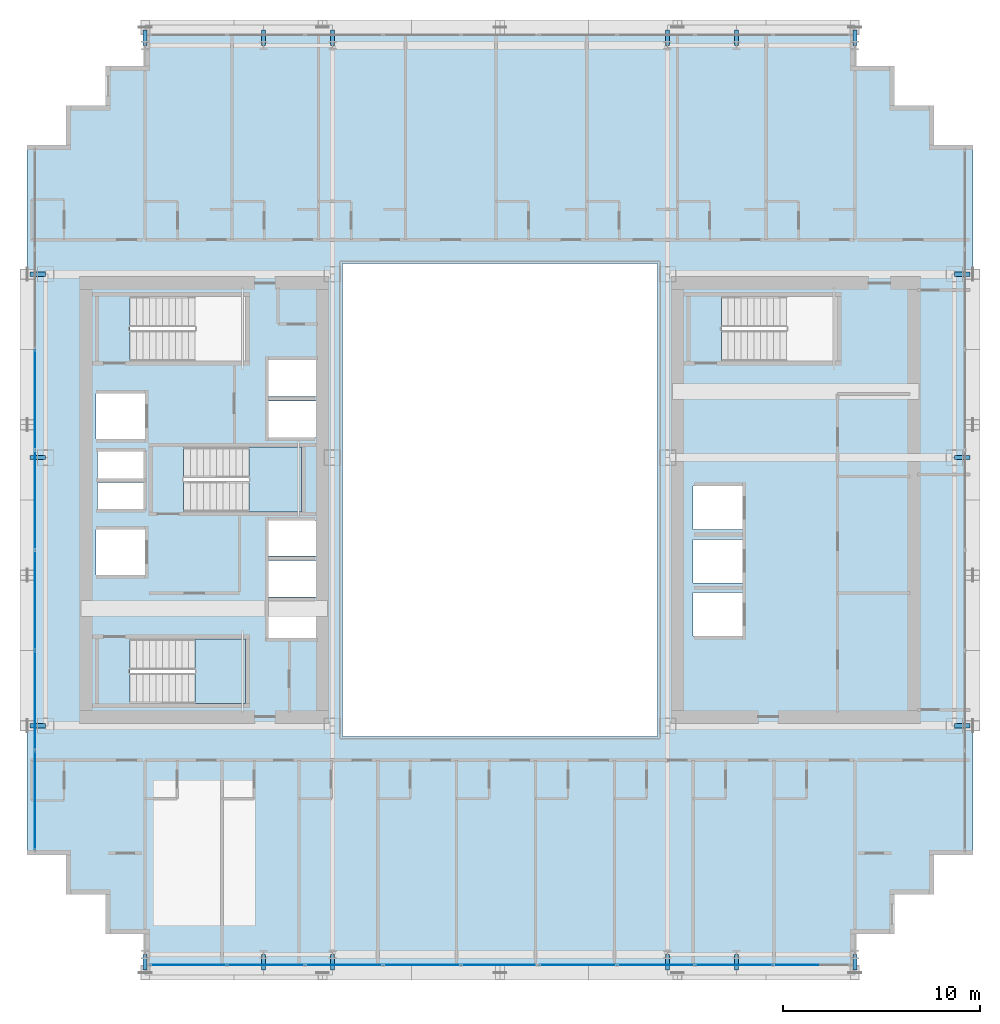
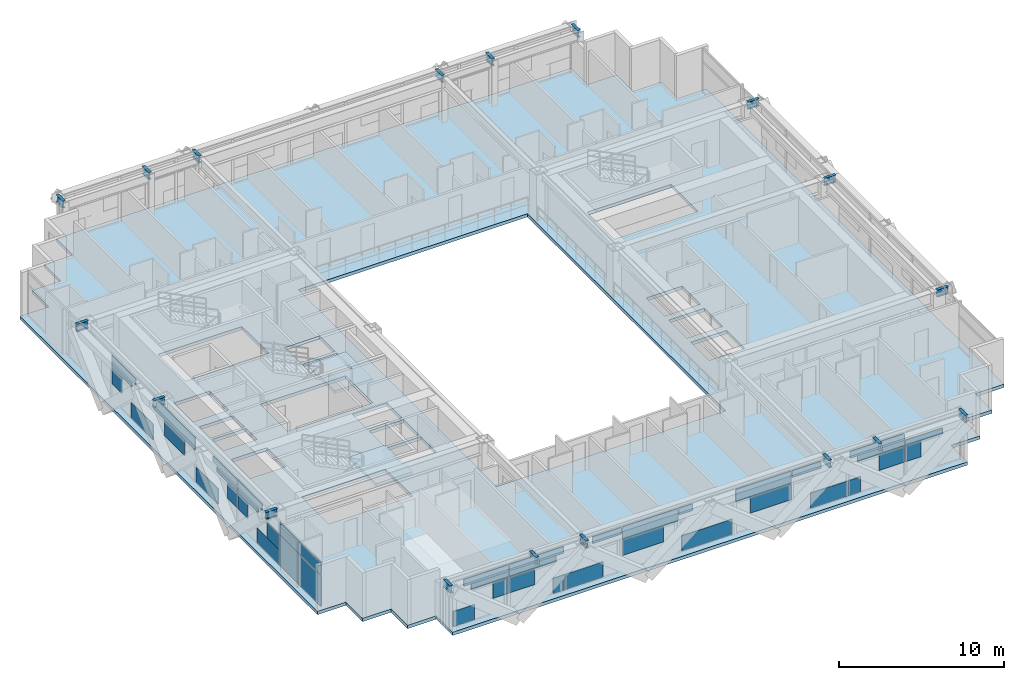
# One storey, part 23 of 36: 41 plates, 18 beams, 3 slabs, 4 elements without a shape of their own.
"""IFC4 building model written with IfcOpenShell, lengths in metres."""

from ifc_helpers import new_model, si_unit, direction, frame, origin, origin_2d, place, context, subcontext, project, spatial, polyline, rectangle, i_section, outline, extrude, source, transform, mapped, material, layer, layer_set, material_profile, profile_set, type_object, element, aggregate, save


model = new_model("IFC4")

# Units and contexts
model_context = context("Model", 3, precision=1e-05, world=origin(), true_north=direction((0.0, 1.0)))
body_context = subcontext(model_context, "Body", "Model", "MODEL_VIEW")
ifc_project = project(units=[si_unit("LENGTHUNIT", "METRE"), si_unit("AREAUNIT", "SQUARE_METRE"), si_unit("VOLUMEUNIT", "CUBIC_METRE"), si_unit("PLANEANGLEUNIT", "RADIAN"), si_unit("MASSUNIT", "GRAM", prefix="KILO")], contexts=[model_context])

# Site, building, storey
site_placement = place(None, origin())
site = spatial("IfcSite", under=ifc_project, at=site_placement, CompositionType="ELEMENT")
building_placement = place(site_placement, origin())
building = spatial("IfcBuilding", under=site, at=building_placement, Name="Ocotamira Hotel", CompositionType="ELEMENT")
storey_placement = place(building_placement, frame((0.0, 0.0, 136.800048828125)))
storey = spatial("IfcBuildingStorey", under=building, at=storey_placement, Name="L34", CompositionType="ELEMENT", Elevation=136.800048828125)

# Beams
ifc_material_1 = material(Name="Steel ASTM A992 Grade 50", Category="steel")
ifc_material_profile = material_profile(ifc_material_1, i_section(OverallWidth=0.2099609375, OverallDepth=0.537109375, WebThickness=0.010986328125, FlangeThickness=0.017333984375, FilletRadius=0.012939453125, at=origin_2d()), Name="W21X68")
ifc_profile_set = profile_set([ifc_material_profile], Name="Steel ASTM A992 Grade 50")
beam_type = type_object("IfcBeamType", Name="BM-SEC-W21X68", PredefinedType="JOIST", material=ifc_profile_set)
shared_shape_1 = source(origin(), body_context, "Body", "SweptSolid", [
    extrude(i_section(OverallWidth=0.2099609375, OverallDepth=0.537109375, WebThickness=0.010986328125, FlangeThickness=0.017333984375, FilletRadius=0.012939453125, at=origin_2d()), origin(), (0.0, 0.0, 1.0), 0.800048828125),
])
for number, where, z_axis, x_axis, name in (
    (1, (14.0, 2.949951171875, 3.091552734375), (0.0, -1.0, 0.0), (1.0, 0.0, 0.0), "L34 South Edge Header X14"),
    (2, (14.0, 49.050048828125, 3.091552734375), (0.0, 1.0, 0.0), (-1.0, 0.0, 0.0), "L34 North Edge Header X14"),
    (3, (20.0, 2.949951171875, 3.091552734375), (0.0, -1.0, 0.0), (1.0, 0.0, 0.0), "L34 South Edge Header X20"),
    (4, (20.0, 49.050048828125, 3.091552734375), (0.0, 1.0, 0.0), (-1.0, 0.0, 0.0), "L34 North Edge Header X20"),
    (5, (23.5, 2.949951171875, 3.091552734375), (0.0, -1.0, 0.0), (1.0, 0.0, 0.0), "L34 South Edge Header X23.5"),
    (6, (23.5, 49.050048828125, 3.091552734375), (0.0, 1.0, 0.0), (-1.0, 0.0, 0.0), "L34 North Edge Header X23.5"),
    (7, (40.5, 2.949951171875, 3.091552734375), (0.0, -1.0, 0.0), (1.0, 0.0, 0.0), "L34 South Edge Header X40.5"),
    (8, (40.5, 49.050048828125, 3.091552734375), (0.0, 1.0, 0.0), (-1.0, 0.0, 0.0), "L34 North Edge Header X40.5"),
    (9, (44.0, 2.949951171875, 3.091552734375), (0.0, -1.0, 0.0), (1.0, 0.0, 0.0), "L34 South Edge Header X44"),
    (10, (44.0, 49.050048828125, 3.091552734375), (0.0, 1.0, 0.0), (-1.0, 0.0, 0.0), "L34 North Edge Header X44"),
    (11, (50.0, 2.949951171875, 3.091552734375), (0.0, -1.0, 0.0), (1.0, 0.0, 0.0), "L34 South Edge Header X50"),
    (12, (50.0, 49.050048828125, 3.091552734375), (0.0, 1.0, 0.0), (-1.0, 0.0, 0.0), "L34 North Edge Header X50"),
    (13, (8.949951171875, 14.550048828125, 3.091552734375), (-1.0, 0.0, 0.0), (0.0, -1.0, 0.0), "L34 West Edge Header Y14.55"),
    (14, (55.050048828125, 14.550048828125, 3.091552734375), (1.0, 0.0, 0.0), (0.0, 1.0, 0.0), "L34 East Edge Header Y14.55"),
    (15, (8.949951171875, 28.14990234375, 3.091552734375), (-1.0, 0.0, 0.0), (0.0, -1.0, 0.0), "L34 West Edge Header Y28.15"),
    (16, (55.050048828125, 28.14990234375, 3.091552734375), (1.0, 0.0, 0.0), (0.0, 1.0, 0.0), "L34 East Edge Header Y28.15"),
    (17, (8.949951171875, 37.449951171875, 3.091552734375), (-1.0, 0.0, 0.0), (0.0, -1.0, 0.0), "L34 West Edge Header Y37.45"),
    (18, (55.050048828125, 37.449951171875, 3.091552734375), (1.0, 0.0, 0.0), (0.0, 1.0, 0.0), "L34 East Edge Header Y37.45"),
):
    element("IfcBeam", number, at=place(storey_placement, frame(where, z_axis=z_axis, x_axis=x_axis)), inside=storey, type_object=beam_type, Name=name, PredefinedType="JOIST", context=body_context, shape_type="MappedRepresentation", body=[
        mapped(shared_shape_1, transform((0.0, 0.0, 0.0), scale=1.0)),
    ])

# Stair, slab
ifc_material_2 = material(Name="Concrete C40/50", Category="concrete")
stair_type = type_object("IfcStairType", Name="ST-CORE-1560", PredefinedType="HALF_TURN_STAIR", material=ifc_material_2)
stair_1_placement = place(storey_placement, origin())
stair_1 = element("IfcStair", 19, at=stair_1_placement, inside=storey, type_object=stair_type, Name="L34 Exit Stair ST-1", PredefinedType="HALF_TURN_STAIR")
ifc_layer_1 = layer(ifc_material_2, 0.199951171875)
ifc_layer_set_1 = layer_set([ifc_layer_1], Name="Concrete C40/50")
slab_type_1 = type_object("IfcSlabType", Name="SLB-LAND-200", PredefinedType="LANDING", material=ifc_layer_set_1)
slab_1_placement = place(storey_placement, frame((0.0, 0.0, 1.599853515625)))
slab_1 = element("IfcSlab", 20, at=slab_1_placement, type_object=slab_type_1, Name="ST-1 landing 1", PredefinedType="LANDING", context=body_context, shape_type="SweptSolid", body=[
    extrude(outline(polyline([(16.530029296875, 15.669921875), (19.090087890625, 15.669921875), (19.090087890625, 18.949951171875), (16.530029296875, 18.949951171875), (16.530029296875, 15.669921875)])), origin(), (0.0, 0.0, 1.0), 0.2001953125),
])
aggregate(stair_1, [slab_1])

stair_2_placement = place(storey_placement, origin())
stair_2 = element("IfcStair", 21, at=stair_2_placement, inside=storey, type_object=stair_type, Name="L34 Exit Stair ST-3", PredefinedType="HALF_TURN_STAIR")
slab_2_placement = place(storey_placement, frame((0.0, 0.0, 1.599853515625)))
slab_2 = element("IfcSlab", 22, at=slab_2_placement, type_object=slab_type_1, Name="ST-3 landing 1", PredefinedType="LANDING", context=body_context, shape_type="SweptSolid", body=[
    extrude(outline(polyline([(19.260009765625, 25.39990234375), (21.919921875, 25.39990234375), (21.919921875, 28.679931640625), (19.260009765625, 28.679931640625), (19.260009765625, 25.39990234375)])), origin(), (0.0, 0.0, 1.0), 0.2001953125),
])
aggregate(stair_2, [slab_2])

# Slab
ifc_layer_2 = layer(ifc_material_2, 0.239990234375)
ifc_layer_set_2 = layer_set([ifc_layer_2], Name="Concrete C40/50")
slab_type_2 = type_object("IfcSlabType", Name="SLB-TYP-240", PredefinedType="FLOOR", material=ifc_layer_set_2)
slab_3_placement = place(storey_placement, frame((0.0, 0.0, -0.239990234375)))
element("IfcSlab", 23, at=slab_3_placement, inside=storey, type_object=slab_type_2, Name="L34 Structural Floor Slab", PredefinedType="FLOOR", context=body_context, shape_type="SweptSolid", body=[
    extrude(outline(polyline([(14.0, 2.0), (50.0, 2.0), (50.0, 4.0), (52.0, 4.0), (52.0, 6.0), (54.0, 6.0), (54.0, 8.0), (56.0, 8.0), (56.0, 44.0), (54.0, 44.0), (54.0, 46.0), (52.0, 46.0), (52.0, 48.0), (50.0, 48.0), (50.0, 50.0), (14.0, 50.0), (14.0, 48.0), (12.0, 48.0), (12.0, 46.0), (10.0, 46.0), (10.0, 44.0), (8.0, 44.0), (8.0, 8.0), (10.0, 8.0), (10.0, 6.0), (12.0, 6.0), (12.0, 4.0), (14.0, 4.0), (14.0, 2.0)]), holes=[polyline([(24.0, 14.0), (40.0, 14.0), (40.0, 38.0), (24.0, 38.0), (24.0, 14.0)]), polyline([(13.22998046875, 15.669921875), (19.090087890625, 15.669921875), (19.090087890625, 18.949951171875), (13.22998046875, 18.949951171875), (13.22998046875, 15.669921875)]), polyline([(13.22998046875, 33.050048828125), (19.090087890625, 33.050048828125), (19.090087890625, 36.330078125), (13.22998046875, 36.330078125), (13.22998046875, 33.050048828125)]), polyline([(15.9599609375, 25.39990234375), (21.919921875, 25.39990234375), (21.919921875, 28.679931640625), (15.9599609375, 28.679931640625), (15.9599609375, 25.39990234375)]), polyline([(43.22998046875, 33.050048828125), (49.090087890625, 33.050048828125), (49.090087890625, 36.330078125), (43.22998046875, 36.330078125), (43.22998046875, 33.050048828125)]), polyline([(41.800048828125, 19.10009765625), (44.300048828125, 19.10009765625), (44.300048828125, 21.300048828125), (41.800048828125, 21.300048828125), (41.800048828125, 19.10009765625)]), polyline([(41.800048828125, 21.800048828125), (44.300048828125, 21.800048828125), (44.300048828125, 24.0), (41.800048828125, 24.0), (41.800048828125, 21.800048828125)]), polyline([(41.800048828125, 24.5), (44.300048828125, 24.5), (44.300048828125, 26.699951171875), (41.800048828125, 26.699951171875), (41.800048828125, 24.5)]), polyline([(20.25, 19.0), (22.659912109375, 19.0), (22.659912109375, 20.85009765625), (20.25, 20.85009765625), (20.25, 19.0)]), polyline([(20.25, 21.080078125), (22.659912109375, 21.080078125), (22.659912109375, 22.929931640625), (20.25, 22.929931640625), (20.25, 21.080078125)]), polyline([(20.25, 23.159912109375), (22.659912109375, 23.159912109375), (22.659912109375, 24.9599609375), (20.25, 24.9599609375), (20.25, 23.159912109375)]), polyline([(20.25, 29.179931640625), (22.659912109375, 29.179931640625), (22.659912109375, 31.030029296875), (20.25, 31.030029296875), (20.25, 29.179931640625)]), polyline([(20.25, 31.260009765625), (22.659912109375, 31.260009765625), (22.659912109375, 33.110107421875), (20.25, 33.110107421875), (20.25, 31.260009765625)]), polyline([(11.5, 22.199951171875), (14.0, 22.199951171875), (14.0, 24.5), (11.5, 24.5), (11.5, 22.199951171875)]), polyline([(11.5, 29.10009765625), (14.0, 29.10009765625), (14.0, 31.39990234375), (11.5, 31.39990234375), (11.5, 29.10009765625)]), polyline([(11.580078125, 25.550048828125), (13.919921875, 25.550048828125), (13.919921875, 26.89990234375), (11.580078125, 26.89990234375), (11.580078125, 25.550048828125)]), polyline([(11.580078125, 27.10009765625), (13.919921875, 27.10009765625), (13.919921875, 28.449951171875), (11.580078125, 28.449951171875), (11.580078125, 27.10009765625)])]), origin(), (0.0, 0.0, 1.0), 0.239990234375),
])

# Curtain wall, plate
ifc_material_3 = material(Name="Anodised pale-metal aluminium and solar glass", Category="aluminium")
ifc_layer_3 = layer(ifc_material_3, 0.179931640625)
ifc_layer_set_3 = layer_set([ifc_layer_3], Name="Anodised pale-metal aluminium and solar glass")
curtain_wall_type = type_object("IfcCurtainWallType", Name="CW-SYS3-Z2", PredefinedType="NOTDEFINED", material=ifc_layer_set_3)
curtain_wall_1_placement = place(storey_placement, origin())
curtain_wall_1 = element("IfcCurtainWall", 24, at=curtain_wall_1_placement, inside=storey, type_object=curtain_wall_type, Name="L34 Curtain Wall CW-3 CW-L34-W", PredefinedType="NOTDEFINED")
ifc_material_4 = material(Name="Double-silver low-E insulated solar glass", Category="glass")
ifc_layer_4 = layer(ifc_material_4, 0.031982421875)
ifc_layer_set_4 = layer_set([ifc_layer_4], Name="Double-silver low-E insulated solar glass")
plate_type = type_object("IfcPlateType", Name="CWP-VISION-32", PredefinedType="CURTAIN_PANEL", material=ifc_layer_set_4)
shared_shape_2 = source(origin(), body_context, "Body", "SweptSolid", [
    extrude(rectangle(XDim=4.9658203125, YDim=0.031982421875, at=origin_2d()), origin(), (0.0, 0.0, 1.0), 2.237548828125),
])
plate_1_placement = place(storey_placement, frame((8.419921875, 10.762939453125, 0.07470703125), z_axis=(0.0, 0.0, 1.0), x_axis=(0.0, 1.0, 0.0)))
plate_1 = element("IfcPlate", 25, at=plate_1_placement, type_object=plate_type, Name="CW-3 panel 1.1", PredefinedType="CURTAIN_PANEL", context=body_context, shape_type="MappedRepresentation", body=[
    mapped(shared_shape_2, transform((0.0, 0.0, 0.0), scale=1.0)),
])

# Curtain wall, plates
curtain_wall_2_placement = place(storey_placement, origin())
curtain_wall_2 = element("IfcCurtainWall", 26, at=curtain_wall_2_placement, inside=storey, type_object=curtain_wall_type, Name="L34 Curtain Wall CW-3 CW-L34-S1", PredefinedType="NOTDEFINED")
shared_shape_3 = source(origin(), body_context, "Body", "SweptSolid", [
    extrude(rectangle(XDim=3.87548828125, YDim=0.031982421875, at=origin_2d()), origin(), (0.0, 0.0, 1.0), 0.8974609375),
])
plate_2_placement = place(storey_placement, frame((28.04443359375, 2.419921875, 2.387451171875), z_axis=(0.0, 0.0, 1.0), x_axis=(1.0, 0.0, 0.0)))
plate_2 = element("IfcPlate", 27, at=plate_2_placement, type_object=plate_type, Name="CW-3 panel 4.2", PredefinedType="CURTAIN_PANEL", context=body_context, shape_type="MappedRepresentation", body=[
    mapped(shared_shape_3, transform((0.0, 0.0, 0.0), scale=1.0)),
])
plate_3_placement = place(storey_placement, frame((35.95556640625, 2.419921875, 2.387451171875), z_axis=(0.0, 0.0, 1.0), x_axis=(1.0, 0.0, 0.0)))
plate_3 = element("IfcPlate", 28, at=plate_3_placement, type_object=plate_type, Name="CW-3 panel 6.2", PredefinedType="CURTAIN_PANEL", context=body_context, shape_type="MappedRepresentation", body=[
    mapped(shared_shape_3, transform((0.0, 0.0, 0.0), scale=1.0)),
])

# Plate
shared_shape_4 = source(origin(), body_context, "Body", "SweptSolid", [
    extrude(rectangle(XDim=4.9658203125, YDim=0.031982421875, at=origin_2d()), origin(), (0.0, 0.0, 1.0), 0.8974609375),
])
plate_4_placement = place(storey_placement, frame((8.419921875, 10.762939453125, 2.387451171875), z_axis=(0.0, 0.0, 1.0), x_axis=(0.0, 1.0, 0.0)))
plate_4 = element("IfcPlate", 29, at=plate_4_placement, type_object=plate_type, Name="CW-3 panel 1.2", PredefinedType="CURTAIN_PANEL", context=body_context, shape_type="MappedRepresentation", body=[
    mapped(shared_shape_4, transform((0.0, 0.0, 0.0), scale=1.0)),
])

shared_shape_5 = source(origin(), body_context, "Body", "SweptSolid", [
    extrude(rectangle(XDim=2.404296875, YDim=0.031982421875, at=origin_2d()), origin(), (0.0, 0.0, 1.0), 1.118896484375),
])
plate_5_placement = place(storey_placement, frame((8.419921875, 26.0, 1.193359375), z_axis=(0.0, 0.0, 1.0), x_axis=(0.0, 1.0, 0.0)))
plate_5 = element("IfcPlate", 30, at=plate_5_placement, type_object=plate_type, Name="CW-3 panel 4.1.1", PredefinedType="CURTAIN_PANEL", context=body_context, shape_type="MappedRepresentation", body=[
    mapped(shared_shape_5, transform((0.0, 0.0, 0.0), scale=1.0)),
])

shared_shape_6 = source(origin(), body_context, "Body", "SweptSolid", [
    extrude(rectangle(XDim=1.47509765625, YDim=0.031982421875, at=origin_2d()), origin(), (0.0, 0.0, 1.0), 1.118896484375),
])
plate_6_placement = place(storey_placement, frame((15.017578125, 2.419921875, 0.07470703125), z_axis=(0.0, 0.0, 1.0), x_axis=(1.0, 0.0, 0.0)))
plate_6 = element("IfcPlate", 31, at=plate_6_placement, type_object=plate_type, Name="CW-3 panel 1.1.1", PredefinedType="CURTAIN_PANEL", context=body_context, shape_type="MappedRepresentation", body=[
    mapped(shared_shape_6, transform((0.0, 0.0, 0.0), scale=1.0)),
])

shared_shape_7 = source(origin(), body_context, "Body", "SweptSolid", [
    extrude(rectangle(XDim=3.104248046875, YDim=0.031982421875, at=origin_2d()), origin(), (0.0, 0.0, 1.0), 0.4716796875),
])
plate_7_placement = place(storey_placement, frame((16.5634765625, 2.419921875, 2.813232421875), z_axis=(0.0, 0.0, 1.0), x_axis=(1.0, 0.0, 0.0)))
plate_7 = element("IfcPlate", 32, at=plate_7_placement, type_object=plate_type, Name="CW-3 panel 1.2.1", PredefinedType="CURTAIN_PANEL", context=body_context, shape_type="MappedRepresentation", body=[
    mapped(shared_shape_7, transform((0.0, 0.0, 0.0), scale=1.0)),
])

shared_shape_8 = source(origin(), body_context, "Body", "SweptSolid", [
    extrude(rectangle(XDim=2.572021484375, YDim=0.031982421875, at=origin_2d()), origin(), (0.0, 0.0, 1.0), 0.39453125),
])
plate_8_placement = place(storey_placement, frame((16.82958984375, 2.419921875, 2.387451171875), z_axis=(0.0, 0.0, 1.0), x_axis=(1.0, 0.0, 0.0)))
plate_8 = element("IfcPlate", 33, at=plate_8_placement, type_object=plate_type, Name="CW-3 panel 1.2.2", PredefinedType="CURTAIN_PANEL", context=body_context, shape_type="MappedRepresentation", body=[
    mapped(shared_shape_8, transform((0.0, 0.0, 0.0), scale=1.0)),
])

plate_9_placement = place(storey_placement, frame((47.17041015625, 2.419921875, 2.387451171875), z_axis=(0.0, 0.0, 1.0), x_axis=(1.0, 0.0, 0.0)))
plate_9 = element("IfcPlate", 34, at=plate_9_placement, type_object=plate_type, Name="CW-3 panel 9.2.1", PredefinedType="CURTAIN_PANEL", context=body_context, shape_type="MappedRepresentation", body=[
    mapped(shared_shape_8, transform((0.0, 0.0, 0.0), scale=1.0)),
])

shared_shape_9 = source(origin(), body_context, "Body", "SweptSolid", [
    extrude(rectangle(XDim=0.826171875, YDim=0.031982421875, at=origin_2d()), origin(), (0.0, 0.0, 1.0), 1.118896484375),
])
plate_10_placement = place(storey_placement, frame((21.658203125, 2.419921875, 0.07470703125), z_axis=(0.0, 0.0, 1.0), x_axis=(1.0, 0.0, 0.0)))
plate_10 = element("IfcPlate", 35, at=plate_10_placement, type_object=plate_type, Name="CW-3 panel 2.1.2", PredefinedType="CURTAIN_PANEL", context=body_context, shape_type="MappedRepresentation", body=[
    mapped(shared_shape_9, transform((0.0, 0.0, 0.0), scale=1.0)),
])

plate_11_placement = place(storey_placement, frame((42.341796875, 2.419921875, 0.07470703125), z_axis=(0.0, 0.0, 1.0), x_axis=(1.0, 0.0, 0.0)))
plate_11 = element("IfcPlate", 36, at=plate_11_placement, type_object=plate_type, Name="CW-3 panel 8.1.1", PredefinedType="CURTAIN_PANEL", context=body_context, shape_type="MappedRepresentation", body=[
    mapped(shared_shape_9, transform((0.0, 0.0, 0.0), scale=1.0)),
])

shared_shape_10 = source(origin(), body_context, "Body", "SweptSolid", [
    extrude(rectangle(XDim=3.260986328125, YDim=0.031982421875, at=origin_2d()), origin(), (0.0, 0.0, 1.0), 0.42578125),
])
plate_12_placement = place(storey_placement, frame((19.826171875, 2.419921875, 2.387451171875), z_axis=(0.0, 0.0, 1.0), x_axis=(1.0, 0.0, 0.0)))
plate_12 = element("IfcPlate", 37, at=plate_12_placement, type_object=plate_type, Name="CW-3 panel 2.2.1", PredefinedType="CURTAIN_PANEL", context=body_context, shape_type="MappedRepresentation", body=[
    mapped(shared_shape_10, transform((0.0, 0.0, 0.0), scale=1.0)),
])

plate_13_placement = place(storey_placement, frame((44.173828125, 2.419921875, 2.387451171875), z_axis=(0.0, 0.0, 1.0), x_axis=(1.0, 0.0, 0.0)))
plate_13 = element("IfcPlate", 38, at=plate_13_placement, type_object=plate_type, Name="CW-3 panel 8.2.2", PredefinedType="CURTAIN_PANEL", context=body_context, shape_type="MappedRepresentation", body=[
    mapped(shared_shape_10, transform((0.0, 0.0, 0.0), scale=1.0)),
])

shared_shape_11 = source(origin(), body_context, "Body", "SweptSolid", [
    extrude(rectangle(XDim=3.793212890625, YDim=0.031982421875, at=origin_2d()), origin(), (0.0, 0.0, 1.0), 0.4716796875),
])
plate_14_placement = place(storey_placement, frame((20.09228515625, 2.419921875, 2.813232421875), z_axis=(0.0, 0.0, 1.0), x_axis=(1.0, 0.0, 0.0)))
plate_14 = element("IfcPlate", 39, at=plate_14_placement, type_object=plate_type, Name="CW-3 panel 2.2.2", PredefinedType="CURTAIN_PANEL", context=body_context, shape_type="MappedRepresentation", body=[
    mapped(shared_shape_11, transform((0.0, 0.0, 0.0), scale=1.0)),
])

plate_15_placement = place(storey_placement, frame((43.90771484375, 2.419921875, 2.813232421875), z_axis=(0.0, 0.0, 1.0), x_axis=(1.0, 0.0, 0.0)))
plate_15 = element("IfcPlate", 40, at=plate_15_placement, type_object=plate_type, Name="CW-3 panel 8.2.1", PredefinedType="CURTAIN_PANEL", context=body_context, shape_type="MappedRepresentation", body=[
    mapped(shared_shape_11, transform((0.0, 0.0, 0.0), scale=1.0)),
])

shared_shape_12 = source(origin(), body_context, "Body", "SweptSolid", [
    extrude(rectangle(XDim=2.60400390625, YDim=0.031982421875, at=origin_2d()), origin(), (0.0, 0.0, 1.0), 1.118896484375),
])
plate_16_placement = place(storey_placement, frame((23.453125, 2.419921875, 0.07470703125), z_axis=(0.0, 0.0, 1.0), x_axis=(1.0, 0.0, 0.0)))
plate_16 = element("IfcPlate", 41, at=plate_16_placement, type_object=plate_type, Name="CW-3 panel 3.1.1", PredefinedType="CURTAIN_PANEL", context=body_context, shape_type="MappedRepresentation", body=[
    mapped(shared_shape_12, transform((0.0, 0.0, 0.0), scale=1.0)),
])

plate_17_placement = place(storey_placement, frame((40.546875, 2.419921875, 0.07470703125), z_axis=(0.0, 0.0, 1.0), x_axis=(1.0, 0.0, 0.0)))
plate_17 = element("IfcPlate", 42, at=plate_17_placement, type_object=plate_type, Name="CW-3 panel 7.1.1", PredefinedType="CURTAIN_PANEL", context=body_context, shape_type="MappedRepresentation", body=[
    mapped(shared_shape_12, transform((0.0, 0.0, 0.0), scale=1.0)),
])

shared_shape_13 = source(origin(), body_context, "Body", "SweptSolid", [
    extrude(rectangle(XDim=2.015380859375, YDim=0.031982421875, at=origin_2d()), origin(), (0.0, 0.0, 1.0), 0.4716796875),
])
plate_18_placement = place(storey_placement, frame((25.018798828125, 2.419921875, 2.813232421875), z_axis=(0.0, 0.0, 1.0), x_axis=(1.0, 0.0, 0.0)))
plate_18 = element("IfcPlate", 43, at=plate_18_placement, type_object=plate_type, Name="CW-3 panel 3.2.1", PredefinedType="CURTAIN_PANEL", context=body_context, shape_type="MappedRepresentation", body=[
    mapped(shared_shape_13, transform((0.0, 0.0, 0.0), scale=1.0)),
])

plate_19_placement = place(storey_placement, frame((38.981201171875, 2.419921875, 2.813232421875), z_axis=(0.0, 0.0, 1.0), x_axis=(1.0, 0.0, 0.0)))
plate_19 = element("IfcPlate", 44, at=plate_19_placement, type_object=plate_type, Name="CW-3 panel 7.2.1", PredefinedType="CURTAIN_PANEL", context=body_context, shape_type="MappedRepresentation", body=[
    mapped(shared_shape_13, transform((0.0, 0.0, 0.0), scale=1.0)),
])

shared_shape_14 = source(origin(), body_context, "Body", "SweptSolid", [
    extrude(rectangle(XDim=3.510009765625, YDim=0.031982421875, at=origin_2d()), origin(), (0.0, 0.0, 1.0), 1.118896484375),
])
plate_20_placement = place(storey_placement, frame((32.0, 2.419921875, 0.07470703125), z_axis=(0.0, 0.0, 1.0), x_axis=(1.0, 0.0, 0.0)))
plate_20 = element("IfcPlate", 45, at=plate_20_placement, type_object=plate_type, Name="CW-3 panel 5.1.1", PredefinedType="CURTAIN_PANEL", context=body_context, shape_type="MappedRepresentation", body=[
    mapped(shared_shape_14, transform((0.0, 0.0, 0.0), scale=1.0)),
])

shared_shape_15 = source(origin(), body_context, "Body", "SweptSolid", [
    extrude(rectangle(XDim=0.926513671875, YDim=0.031982421875, at=origin_2d()), origin(), (0.0, 0.0, 1.0), 0.4716796875),
])
plate_21_placement = place(storey_placement, frame((30.525390625, 2.419921875, 2.813232421875), z_axis=(0.0, 0.0, 1.0), x_axis=(1.0, 0.0, 0.0)))
plate_21 = element("IfcPlate", 46, at=plate_21_placement, type_object=plate_type, Name="CW-3 panel 5.2.1", PredefinedType="CURTAIN_PANEL", context=body_context, shape_type="MappedRepresentation", body=[
    mapped(shared_shape_15, transform((0.0, 0.0, 0.0), scale=1.0)),
])

shared_shape_16 = source(origin(), body_context, "Body", "SweptSolid", [
    extrude(rectangle(XDim=2.6728515625, YDim=0.031982421875, at=origin_2d()), origin(), (0.0, 0.0, 1.0), 1.118896484375),
])
plate_22_placement = place(storey_placement, frame((8.419921875, 14.662109375, 0.07470703125), z_axis=(0.0, 0.0, 1.0), x_axis=(0.0, 1.0, 0.0)))
plate_22 = element("IfcPlate", 47, at=plate_22_placement, type_object=plate_type, Name="CW-3 panel 2.1.1", PredefinedType="CURTAIN_PANEL", context=body_context, shape_type="MappedRepresentation", body=[
    mapped(shared_shape_16, transform((0.0, 0.0, 0.0), scale=1.0)),
])

shared_shape_17 = source(origin(), body_context, "Body", "SweptSolid", [
    extrude(rectangle(XDim=2.908203125, YDim=0.031982421875, at=origin_2d()), origin(), (0.0, 0.0, 1.0), 0.44873046875),
])
plate_23_placement = place(storey_placement, frame((8.419921875, 16.877197265625, 2.836181640625), z_axis=(0.0, 0.0, 1.0), x_axis=(0.0, 1.0, 0.0)))
plate_23 = element("IfcPlate", 48, at=plate_23_placement, type_object=plate_type, Name="CW-3 panel 2.2.1", PredefinedType="CURTAIN_PANEL", context=body_context, shape_type="MappedRepresentation", body=[
    mapped(shared_shape_17, transform((0.0, 0.0, 0.0), scale=1.0)),
])

shared_shape_18 = source(origin(), body_context, "Body", "SweptSolid", [
    extrude(rectangle(XDim=2.4326171875, YDim=0.031982421875, at=origin_2d()), origin(), (0.0, 0.0, 1.0), 0.414306640625),
])
plate_24_placement = place(storey_placement, frame((8.419921875, 17.115234375, 2.3876953125), z_axis=(0.0, 0.0, 1.0), x_axis=(0.0, 1.0, 0.0)))
plate_24 = element("IfcPlate", 49, at=plate_24_placement, type_object=plate_type, Name="CW-3 panel 2.2.2", PredefinedType="CURTAIN_PANEL", context=body_context, shape_type="MappedRepresentation", body=[
    mapped(shared_shape_18, transform((0.0, 0.0, 0.0), scale=1.0)),
])

shared_shape_19 = source(origin(), body_context, "Body", "SweptSolid", [
    extrude(rectangle(XDim=2.6826171875, YDim=0.031982421875, at=origin_2d()), origin(), (0.0, 0.0, 1.0), 1.118896484375),
])
plate_25_placement = place(storey_placement, frame((8.419921875, 22.075927734375, 0.07470703125), z_axis=(0.0, 0.0, 1.0), x_axis=(0.0, 1.0, 0.0)))
plate_25 = element("IfcPlate", 50, at=plate_25_placement, type_object=plate_type, Name="CW-3 panel 3.1.2", PredefinedType="CURTAIN_PANEL", context=body_context, shape_type="MappedRepresentation", body=[
    mapped(shared_shape_19, transform((0.0, 0.0, 0.0), scale=1.0)),
])

plate_26_placement = place(storey_placement, frame((8.419921875, 29.924072265625, 0.07470703125), z_axis=(0.0, 0.0, 1.0), x_axis=(0.0, 1.0, 0.0)))
plate_26 = element("IfcPlate", 51, at=plate_26_placement, type_object=plate_type, Name="CW-3 panel 5.1.1", PredefinedType="CURTAIN_PANEL", context=body_context, shape_type="MappedRepresentation", body=[
    mapped(shared_shape_19, transform((0.0, 0.0, 0.0), scale=1.0)),
])

shared_shape_20 = source(origin(), body_context, "Body", "SweptSolid", [
    extrude(rectangle(XDim=2.4228515625, YDim=0.031982421875, at=origin_2d()), origin(), (0.0, 0.0, 1.0), 0.414306640625),
])
plate_27_placement = place(storey_placement, frame((8.419921875, 19.622802734375, 2.3876953125), z_axis=(0.0, 0.0, 1.0), x_axis=(0.0, 1.0, 0.0)))
plate_27 = element("IfcPlate", 52, at=plate_27_placement, type_object=plate_type, Name="CW-3 panel 3.2.1", PredefinedType="CURTAIN_PANEL", context=body_context, shape_type="MappedRepresentation", body=[
    mapped(shared_shape_20, transform((0.0, 0.0, 0.0), scale=1.0)),
])

plate_28_placement = place(storey_placement, frame((8.419921875, 32.377197265625, 2.3876953125), z_axis=(0.0, 0.0, 1.0), x_axis=(0.0, 1.0, 0.0)))
plate_28 = element("IfcPlate", 53, at=plate_28_placement, type_object=plate_type, Name="CW-3 panel 5.2.2", PredefinedType="CURTAIN_PANEL", context=body_context, shape_type="MappedRepresentation", body=[
    mapped(shared_shape_20, transform((0.0, 0.0, 0.0), scale=1.0)),
])

shared_shape_21 = source(origin(), body_context, "Body", "SweptSolid", [
    extrude(rectangle(XDim=2.898681640625, YDim=0.031982421875, at=origin_2d()), origin(), (0.0, 0.0, 1.0), 0.44873046875),
])
plate_29_placement = place(storey_placement, frame((8.419921875, 19.860595703125, 2.836181640625), z_axis=(0.0, 0.0, 1.0), x_axis=(0.0, 1.0, 0.0)))
plate_29 = element("IfcPlate", 54, at=plate_29_placement, type_object=plate_type, Name="CW-3 panel 3.2.2", PredefinedType="CURTAIN_PANEL", context=body_context, shape_type="MappedRepresentation", body=[
    mapped(shared_shape_21, transform((0.0, 0.0, 0.0), scale=1.0)),
])

plate_30_placement = place(storey_placement, frame((8.419921875, 32.139404296875, 2.836181640625), z_axis=(0.0, 0.0, 1.0), x_axis=(0.0, 1.0, 0.0)))
plate_30 = element("IfcPlate", 55, at=plate_30_placement, type_object=plate_type, Name="CW-3 panel 5.2.1", PredefinedType="CURTAIN_PANEL", context=body_context, shape_type="MappedRepresentation", body=[
    mapped(shared_shape_21, transform((0.0, 0.0, 0.0), scale=1.0)),
])

shared_shape_22 = source(origin(), body_context, "Body", "SweptSolid", [
    extrude(rectangle(XDim=5.005615234375, YDim=0.031982421875, at=origin_2d()), origin(), (0.0, 0.0, 1.0), 0.8974609375),
])
plate_31_placement = place(storey_placement, frame((8.419921875, 26.0, 2.387451171875), z_axis=(0.0, 0.0, 1.0), x_axis=(0.0, 1.0, 0.0)))
plate_31 = element("IfcPlate", 56, at=plate_31_placement, type_object=plate_type, Name="CW-3 panel 4.2", PredefinedType="CURTAIN_PANEL", context=body_context, shape_type="MappedRepresentation", body=[
    mapped(shared_shape_22, transform((0.0, 0.0, 0.0), scale=1.0)),
])

shared_shape_23 = source(origin(), body_context, "Body", "SweptSolid", [
    extrude(rectangle(XDim=1.079833984375, YDim=0.031982421875, at=origin_2d()), origin(), (0.0, 0.0, 1.0), 1.118896484375),
])
plate_32_placement = place(storey_placement, frame((17.57568359375, 2.419921875, 1.193359375), z_axis=(0.0, 0.0, 1.0), x_axis=(1.0, 0.0, 0.0)))
plate_32 = element("IfcPlate", 57, at=plate_32_placement, type_object=plate_type, Name="CW-3 panel 1.1.2", PredefinedType="CURTAIN_PANEL", context=body_context, shape_type="MappedRepresentation", body=[
    mapped(shared_shape_23, transform((0.0, 0.0, 0.0), scale=1.0)),
])

plate_33_placement = place(storey_placement, frame((46.42431640625, 2.419921875, 1.193359375), z_axis=(0.0, 0.0, 1.0), x_axis=(1.0, 0.0, 0.0)))
plate_33 = element("IfcPlate", 58, at=plate_33_placement, type_object=plate_type, Name="CW-3 panel 9.1.1", PredefinedType="CURTAIN_PANEL", context=body_context, shape_type="MappedRepresentation", body=[
    mapped(shared_shape_23, transform((0.0, 0.0, 0.0), scale=1.0)),
])

shared_shape_24 = source(origin(), body_context, "Body", "SweptSolid", [
    extrude(rectangle(XDim=1.768798828125, YDim=0.031982421875, at=origin_2d()), origin(), (0.0, 0.0, 1.0), 1.118896484375),
])
plate_34_placement = place(storey_placement, frame((19.080078125, 2.419921875, 1.193359375), z_axis=(0.0, 0.0, 1.0), x_axis=(1.0, 0.0, 0.0)))
plate_34 = element("IfcPlate", 59, at=plate_34_placement, type_object=plate_type, Name="CW-3 panel 2.1.1", PredefinedType="CURTAIN_PANEL", context=body_context, shape_type="MappedRepresentation", body=[
    mapped(shared_shape_24, transform((0.0, 0.0, 0.0), scale=1.0)),
])

plate_35_placement = place(storey_placement, frame((44.919921875, 2.419921875, 1.193359375), z_axis=(0.0, 0.0, 1.0), x_axis=(1.0, 0.0, 0.0)))
plate_35 = element("IfcPlate", 60, at=plate_35_placement, type_object=plate_type, Name="CW-3 panel 8.1.2", PredefinedType="CURTAIN_PANEL", context=body_context, shape_type="MappedRepresentation", body=[
    mapped(shared_shape_24, transform((0.0, 0.0, 0.0), scale=1.0)),
])

shared_shape_25 = source(origin(), body_context, "Body", "SweptSolid", [
    extrude(rectangle(XDim=2.857666015625, YDim=0.031982421875, at=origin_2d()), origin(), (0.0, 0.0, 1.0), 1.118896484375),
])
plate_36_placement = place(storey_placement, frame((27.535400390625, 2.419921875, 1.193359375), z_axis=(0.0, 0.0, 1.0), x_axis=(1.0, 0.0, 0.0)))
plate_36 = element("IfcPlate", 61, at=plate_36_placement, type_object=plate_type, Name="CW-3 panel 4.1.1", PredefinedType="CURTAIN_PANEL", context=body_context, shape_type="MappedRepresentation", body=[
    mapped(shared_shape_25, transform((0.0, 0.0, 0.0), scale=1.0)),
])

plate_37_placement = place(storey_placement, frame((36.464599609375, 2.419921875, 1.193359375), z_axis=(0.0, 0.0, 1.0), x_axis=(1.0, 0.0, 0.0)))
plate_37 = element("IfcPlate", 62, at=plate_37_placement, type_object=plate_type, Name="CW-3 panel 6.1.1", PredefinedType="CURTAIN_PANEL", context=body_context, shape_type="MappedRepresentation", body=[
    mapped(shared_shape_25, transform((0.0, 0.0, 0.0), scale=1.0)),
])

aggregate(curtain_wall_2, [plate_6, plate_32, plate_7, plate_8, plate_34, plate_10, plate_12, plate_14, plate_16, plate_18, plate_36, plate_2, plate_20, plate_21, plate_37, plate_3, plate_17, plate_19, plate_11, plate_35, plate_15, plate_13, plate_33, plate_9])

shared_shape_26 = source(origin(), body_context, "Body", "SweptSolid", [
    extrude(rectangle(XDim=1.48681640625, YDim=0.031982421875, at=origin_2d()), origin(), (0.0, 0.0, 1.0), 1.118896484375),
])
plate_38_placement = place(storey_placement, frame((8.419921875, 14.069091796875, 1.193359375), z_axis=(0.0, 0.0, 1.0), x_axis=(0.0, 1.0, 0.0)))
plate_38 = element("IfcPlate", 63, at=plate_38_placement, type_object=plate_type, Name="CW-3 panel 2.1.2", PredefinedType="CURTAIN_PANEL", context=body_context, shape_type="MappedRepresentation", body=[
    mapped(shared_shape_26, transform((0.0, 0.0, 0.0), scale=1.0)),
])

shared_shape_27 = source(origin(), body_context, "Body", "SweptSolid", [
    extrude(rectangle(XDim=1.1669921875, YDim=0.031982421875, at=origin_2d()), origin(), (0.0, 0.0, 1.0), 1.118896484375),
])
plate_39_placement = place(storey_placement, frame((8.419921875, 17.748046875, 1.193359375), z_axis=(0.0, 0.0, 1.0), x_axis=(0.0, 1.0, 0.0)))
plate_39 = element("IfcPlate", 64, at=plate_39_placement, type_object=plate_type, Name="CW-3 panel 2.1.3", PredefinedType="CURTAIN_PANEL", context=body_context, shape_type="MappedRepresentation", body=[
    mapped(shared_shape_27, transform((0.0, 0.0, 0.0), scale=1.0)),
])

shared_shape_28 = source(origin(), body_context, "Body", "SweptSolid", [
    extrude(rectangle(XDim=1.1572265625, YDim=0.031982421875, at=origin_2d()), origin(), (0.0, 0.0, 1.0), 1.118896484375),
])
plate_40_placement = place(storey_placement, frame((8.419921875, 18.989990234375, 1.193359375), z_axis=(0.0, 0.0, 1.0), x_axis=(0.0, 1.0, 0.0)))
plate_40 = element("IfcPlate", 65, at=plate_40_placement, type_object=plate_type, Name="CW-3 panel 3.1.1", PredefinedType="CURTAIN_PANEL", context=body_context, shape_type="MappedRepresentation", body=[
    mapped(shared_shape_28, transform((0.0, 0.0, 0.0), scale=1.0)),
])

plate_41_placement = place(storey_placement, frame((8.419921875, 33.010009765625, 1.193359375), z_axis=(0.0, 0.0, 1.0), x_axis=(0.0, 1.0, 0.0)))
plate_41 = element("IfcPlate", 66, at=plate_41_placement, type_object=plate_type, Name="CW-3 panel 5.1.2", PredefinedType="CURTAIN_PANEL", context=body_context, shape_type="MappedRepresentation", body=[
    mapped(shared_shape_28, transform((0.0, 0.0, 0.0), scale=1.0)),
])

aggregate(curtain_wall_1, [plate_1, plate_4, plate_22, plate_38, plate_39, plate_23, plate_24, plate_40, plate_25, plate_27, plate_29, plate_5, plate_31, plate_26, plate_41, plate_30, plate_28])

save(model, "model.ifc")
